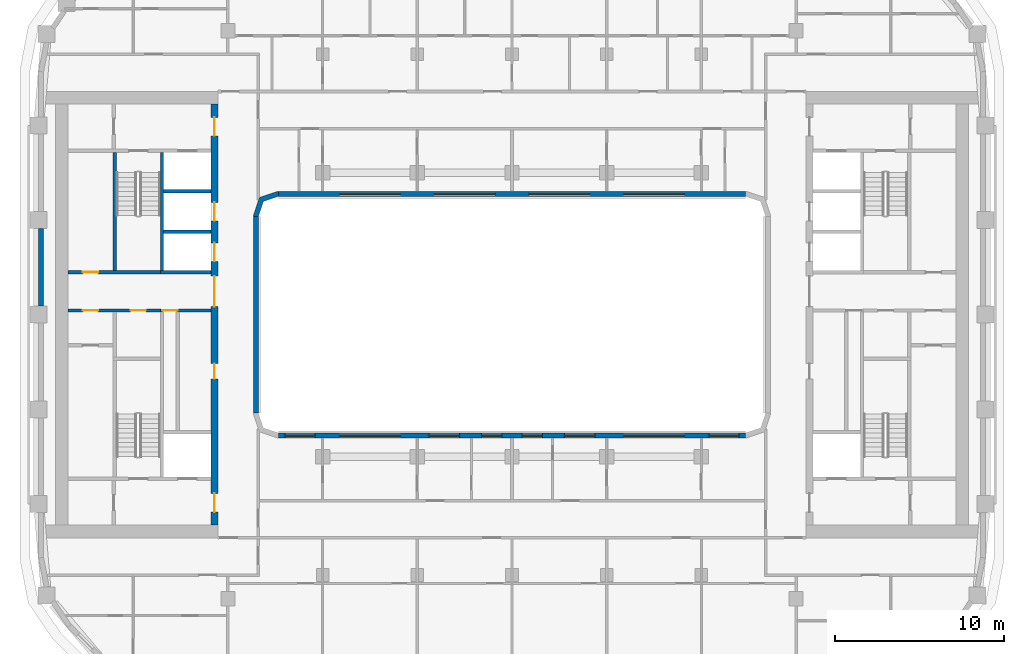
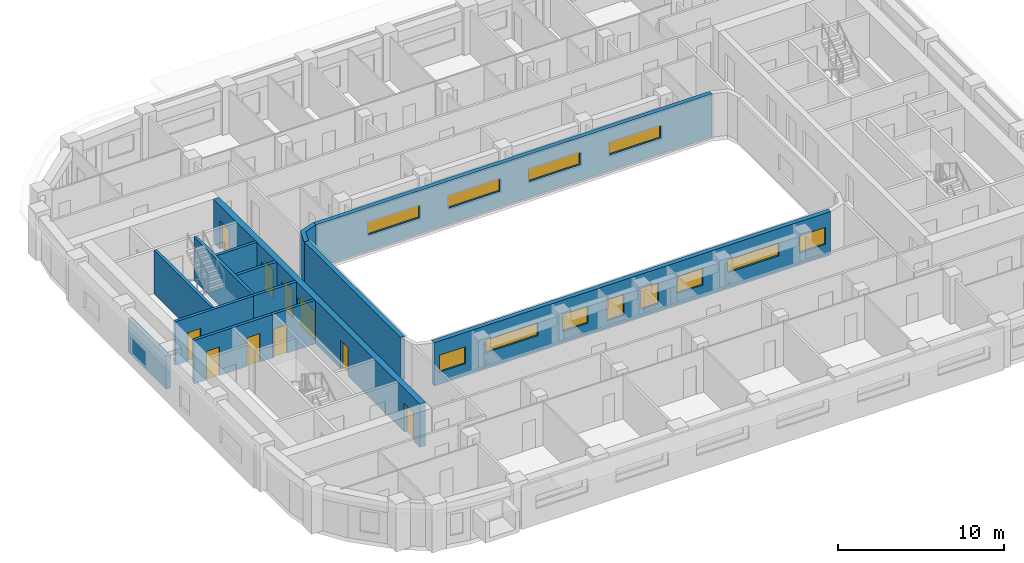
# One storey, part 4 of 22: 14 walls, 12 windows, 10 doors, 22 openings.
"""IFC4 building model written with IfcOpenShell, lengths in metres."""

from ifc_helpers import new_model, si_unit, direction, frame, frame_2d, origin, place, context, subcontext, project, spatial, polyline, rectangle, outline, extrude, material, layer, layer_set, type_object, element, fill, save


model = new_model("IFC4")

# Units and contexts
model_context = context("Model", 3, precision=1e-05, world=origin(), true_north=direction((0.0, 1.0)))
body_context = subcontext(model_context, "Body", "Model", "MODEL_VIEW")
ifc_project = project(units=[si_unit("LENGTHUNIT", "METRE"), si_unit("AREAUNIT", "SQUARE_METRE"), si_unit("VOLUMEUNIT", "CUBIC_METRE"), si_unit("PLANEANGLEUNIT", "RADIAN"), si_unit("MASSUNIT", "GRAM", prefix="KILO")], contexts=[model_context])

# Site, building, storey
site_placement = place(None, origin())
site = spatial("IfcSite", under=ifc_project, at=site_placement, CompositionType="ELEMENT")
building_placement = place(site_placement, origin())
building = spatial("IfcBuilding", under=site, at=building_placement, Name="Kiln Ring Residences", CompositionType="ELEMENT")
storey_placement = place(building_placement, frame((0.0, 0.0, 171.10009765625)))
storey = spatial("IfcBuildingStorey", under=building, at=storey_placement, Name="L44", CompositionType="ELEMENT", Elevation=171.10009765625)

# Wall, openings, doors
ifc_material_1 = material(Name="Gypsum board on steel studs", Category="steel")
ifc_layer_1 = layer(ifc_material_1, 0.199951171875)
ifc_layer_set_1 = layer_set([ifc_layer_1], Name="CORE-PARTITION-200")
wall_type_1 = type_object("IfcWallType", Name="CORE-PARTITION-200", PredefinedType="PARTITIONING", material=ifc_layer_set_1)
wall_1_placement = place(storey_placement, frame((-20.800048828125, 0.25, 0.0), z_axis=(0.0, 0.0, 1.0), x_axis=(-1.0, 0.0, 0.0)))
wall_1 = element("IfcWall", 1, at=wall_1_placement, inside=storey, type_object=wall_type_1, Name="Core partition west L44 2", PredefinedType="PARTITIONING", context=body_context, shape_type="SweptSolid", body=[
    extrude(rectangle(XDim=5.449951171875, YDim=0.199951171875, at=frame_2d((2.72509765625, 0.0))), origin(), (0.0, 0.0, 1.0), 3.199951171875),
])
opening_1_placement = place(wall_1_placement, frame((0.85009765625, 0.0, 0.0)))
opening_1 = element("IfcOpeningElement", 2, at=opening_1_placement, cuts=wall_1, Name="Opening L44-CW14", PredefinedType="OPENING", context=body_context, shape_type="SweptSolid", body=[
    extrude(rectangle(XDim=0.89990234375, YDim=2.10009765625, at=frame_2d((0.449951171875, 1.050048828125))), frame((0.0, 0.10986328125, 0.0), z_axis=(0.0, -1.0, 0.0), x_axis=(1.0, 0.0, 0.0)), (0.0, 0.0, 1.0), 0.219970703125),
])
opening_2_placement = place(wall_1_placement, frame((3.675048828125, 0.0, 0.0)))
opening_2 = element("IfcOpeningElement", 3, at=opening_2_placement, cuts=wall_1, Name="Opening L44-CW16", PredefinedType="OPENING", context=body_context, shape_type="SweptSolid", body=[
    extrude(rectangle(XDim=0.89990234375, YDim=2.10009765625, at=frame_2d((0.449951171875, 1.050048828125))), frame((0.0, 0.10986328125, 0.0), z_axis=(0.0, -1.0, 0.0), x_axis=(1.0, 0.0, 0.0)), (0.0, 0.0, 1.0), 0.219970703125),
])
ifc_material_2 = material(Name="Steel door leaf", Category="steel")
door_type_1 = type_object("IfcDoorType", Name="CORE-DOOR-ROOM", OperationType="SINGLE_SWING_LEFT", PredefinedType="DOOR", material=ifc_material_2)
door_1_placement = place(opening_1_placement, origin())
door_1 = element("IfcDoor", 4, at=door_1_placement, inside=storey, type_object=door_type_1, Name="Linen store L44-CW14", OperationType="SINGLE_SWING_RIGHT", OverallHeight=2.10009765625, OverallWidth=0.89990234375, PredefinedType="DOOR", context=body_context, shape_type="SweptSolid", body=[
    extrude(rectangle(XDim=0.89990234375, YDim=2.10009765625, at=frame_2d((0.449951171875, 1.050048828125))), frame((0.0, 0.02490234375, 0.0), z_axis=(0.0, -1.0, 0.0), x_axis=(1.0, 0.0, 0.0)), (0.0, 0.0, 1.0), 0.050048828125),
])
fill(opening_1, door_1)
door_2_placement = place(opening_2_placement, origin())
door_2 = element("IfcDoor", 5, at=door_2_placement, inside=storey, type_object=door_type_1, Name="Pump and valve room L44-CW16", OperationType="SINGLE_SWING_RIGHT", OverallHeight=2.10009765625, OverallWidth=0.89990234375, PredefinedType="DOOR", context=body_context, shape_type="SweptSolid", body=[
    extrude(rectangle(XDim=0.89990234375, YDim=2.10009765625, at=frame_2d((0.449951171875, 1.050048828125))), frame((0.0, 0.02490234375, 0.0), z_axis=(0.0, -1.0, 0.0), x_axis=(1.0, 0.0, 0.0)), (0.0, 0.0, 1.0), 0.050048828125),
])
fill(opening_2, door_2)

# Wall, opening, door
ifc_material_3 = material(Name="Gypsum shaft wall system")
ifc_layer_2 = layer(ifc_material_3, 0.199951171875)
ifc_layer_set_2 = layer_set([ifc_layer_2], Name="CORE-SHAFT-WALL-200")
wall_type_2 = type_object("IfcWallType", Name="CORE-SHAFT-WALL-200", PredefinedType="PARTITIONING", material=ifc_layer_set_2)
wall_2_placement = place(storey_placement, frame((-17.800048828125, 0.25, 0.0), z_axis=(0.0, 0.0, 1.0), x_axis=(-1.0, 0.0, 0.0)))
wall_2 = element("IfcWall", 6, at=wall_2_placement, inside=storey, type_object=wall_type_2, Name="Core partition west L44 8", PredefinedType="PARTITIONING", context=body_context, shape_type="SweptSolid", body=[
    extrude(rectangle(XDim=3.0, YDim=0.199951171875, at=frame_2d((1.5, 0.0))), origin(), (0.0, 0.0, 1.0), 3.199951171875),
])
opening_3_placement = place(wall_2_placement, frame((1.97998046875, 0.0, 0.0)))
opening_3 = element("IfcOpeningElement", 7, at=opening_3_placement, cuts=wall_2, Name="Opening L44-CW03", PredefinedType="OPENING", context=body_context, shape_type="SweptSolid", body=[
    extrude(rectangle(XDim=0.89990234375, YDim=2.10009765625, at=frame_2d((0.449951171875, 1.050048828125))), frame((0.0, 0.10986328125, 0.0), z_axis=(0.0, -1.0, 0.0), x_axis=(1.0, 0.0, 0.0)), (0.0, 0.0, 1.0), 0.219970703125),
])
door_3_placement = place(opening_3_placement, origin())
door_3 = element("IfcDoor", 8, at=door_3_placement, inside=storey, type_object=door_type_1, Name="Waste room L44-CW03", OperationType="SINGLE_SWING_LEFT", OverallHeight=2.10009765625, OverallWidth=0.89990234375, PredefinedType="DOOR", context=body_context, shape_type="SweptSolid", body=[
    extrude(rectangle(XDim=0.89990234375, YDim=2.10009765625, at=frame_2d((0.449951171875, 1.050048828125))), frame((0.0, 0.02490234375, 0.0), z_axis=(0.0, -1.0, 0.0), x_axis=(1.0, 0.0, 0.0)), (0.0, 0.0, 1.0), 0.050048828125),
])
fill(opening_3, door_3)

# Walls
wall_3_placement = place(storey_placement, frame((-17.800048828125, 2.5, 0.0), z_axis=(0.0, 0.0, 1.0), x_axis=(-1.0, 0.0, 0.0)))
element("IfcWall", 9, at=wall_3_placement, inside=storey, type_object=wall_type_2, Name="Core partition west L44 9", PredefinedType="PARTITIONING", context=body_context, shape_type="SweptSolid", body=[
    extrude(rectangle(XDim=3.0, YDim=0.199951171875, at=frame_2d((1.5, 0.0))), origin(), (0.0, 0.0, 1.0), 3.199951171875),
])
for number, where, z_axis, x_axis, name in (
    (10, (-17.800048828125, 4.89990234375, 0.0), (0.0, 0.0, 1.0), (-1.0, 0.0, 0.0), "Core partition west L44 10"),
    (11, (-17.800048828125, 7.300048828125, 0.0), (0.0, 0.0, 1.0), (-1.0, 0.0, 0.0), "Core partition west L44 11"),
):
    element("IfcWall", number, at=place(storey_placement, frame(where, z_axis=z_axis, x_axis=x_axis)), inside=storey, type_object=wall_type_2, Name=name, PredefinedType="PARTITIONING", context=body_context, shape_type="SweptSolid", body=[
        extrude(rectangle(XDim=2.800048828125, YDim=0.199951171875, at=frame_2d((1.39990234375, 0.0))), origin(), (0.0, 0.0, 1.0), 3.199951171875),
    ])
ifc_material_4 = material(Name="Concrete C40/50", Category="concrete")
ifc_layer_3 = layer(ifc_material_4, 0.199951171875)
ifc_layer_set_3 = layer_set([ifc_layer_3], Name="CORE-WALL-RC200")
wall_type_3 = type_object("IfcWallType", Name="CORE-WALL-RC200", PredefinedType="SHEAR", material=ifc_layer_set_3)
wall_4_placement = place(storey_placement, frame((-20.699951171875, 2.60009765625, 0.0), z_axis=(0.0, 0.0, 1.0), x_axis=(0.0, 1.0, 0.0)))
element("IfcWall", 12, at=wall_4_placement, inside=storey, type_object=wall_type_3, Name="Core wall west L44 1", PredefinedType="SHEAR", context=body_context, shape_type="SweptSolid", body=[
    extrude(rectangle(XDim=7.0, YDim=0.199951171875, at=frame_2d((3.5, 0.0))), origin(), (0.0, 0.0, 1.0), 3.199951171875),
])

# Wall, opening, door
wall_5_placement = place(storey_placement, frame((-20.800048828125, 2.5, 0.0), z_axis=(0.0, 0.0, 1.0), x_axis=(-1.0, 0.0, 0.0)))
wall_5 = element("IfcWall", 13, at=wall_5_placement, inside=storey, type_object=wall_type_3, Name="Core wall west L44 3", PredefinedType="SHEAR", context=body_context, shape_type="SweptSolid", body=[
    extrude(rectangle(XDim=5.449951171875, YDim=0.199951171875, at=frame_2d((2.72509765625, 0.0))), origin(), (0.0, 0.0, 1.0), 3.199951171875),
])
opening_4_placement = place(wall_5_placement, frame((3.675048828125, 0.0, 0.0)))
opening_4 = element("IfcOpeningElement", 14, at=opening_4_placement, cuts=wall_5, Name="Opening L44-CW17", PredefinedType="OPENING", context=body_context, shape_type="SweptSolid", body=[
    extrude(rectangle(XDim=0.89990234375, YDim=2.10009765625, at=frame_2d((0.449951171875, 1.050048828125))), frame((0.0, 0.10986328125, 0.0), z_axis=(0.0, -1.0, 0.0), x_axis=(1.0, 0.0, 0.0)), (0.0, 0.0, 1.0), 0.219970703125),
])
door_4_placement = place(opening_4_placement, origin())
door_4 = element("IfcDoor", 15, at=door_4_placement, inside=storey, type_object=door_type_1, Name="Electrical plant room L44-CW17", OperationType="SINGLE_SWING_RIGHT", OverallHeight=2.10009765625, OverallWidth=0.89990234375, PredefinedType="DOOR", context=body_context, shape_type="SweptSolid", body=[
    extrude(rectangle(XDim=0.89990234375, YDim=2.10009765625, at=frame_2d((0.449951171875, 1.050048828125))), frame((0.0, 0.02490234375, 0.0), z_axis=(0.0, -1.0, 0.0), x_axis=(1.0, 0.0, 0.0)), (0.0, 0.0, 1.0), 0.050048828125),
])
fill(opening_4, door_4)

# Wall
wall_6_placement = place(storey_placement, frame((-23.5, 2.60009765625, 0.0), z_axis=(0.0, 0.0, 1.0), x_axis=(0.0, 1.0, 0.0)))
element("IfcWall", 16, at=wall_6_placement, inside=storey, type_object=wall_type_3, Name="Core wall west L44 10", PredefinedType="SHEAR", context=body_context, shape_type="SweptSolid", body=[
    extrude(rectangle(XDim=7.0, YDim=0.199951171875, at=frame_2d((3.5, 0.0))), origin(), (0.0, 0.0, 1.0), 3.199951171875),
])

# Wall, openings, doors
ifc_material_5 = material(Name="Concrete C60/75", Category="concrete")
ifc_layer_4 = layer(ifc_material_5, 0.39990234375)
ifc_layer_set_4 = layer_set([ifc_layer_4], Name="CORE-WALL-RC400")
wall_type_4 = type_object("IfcWallType", Name="CORE-WALL-RC400", PredefinedType="SHEAR", material=ifc_layer_set_4)
wall_7_placement = place(storey_placement, frame((-17.60009765625, -12.449951171875, 0.0), z_axis=(0.0, 0.0, 1.0), x_axis=(0.0, 1.0, 0.0)))
wall_7 = element("IfcWall", 17, at=wall_7_placement, inside=storey, type_object=wall_type_4, Name="Core wall west L44 6", PredefinedType="SHEAR", context=body_context, shape_type="SweptSolid", body=[
    extrude(rectangle(XDim=24.89990234375, YDim=0.39990234375, at=frame_2d((12.449951171875, 0.0))), origin(), (0.0, 0.0, 1.0), 3.199951171875),
])
opening_5_placement = place(wall_7_placement, frame((8.64990234375, 0.0, 0.0)))
opening_5 = element("IfcOpeningElement", 18, at=opening_5_placement, cuts=wall_7, Name="Opening L44-CW02", PredefinedType="OPENING", context=body_context, shape_type="SweptSolid", body=[
    extrude(rectangle(XDim=0.89990234375, YDim=2.10009765625, at=frame_2d((0.449951171875, 1.050048828125))), frame((0.0, 0.2099609375, 0.0), z_axis=(0.0, -1.0, 0.0), x_axis=(1.0, 0.0, 0.0)), (0.0, 0.0, 1.0), 0.419921875),
])
opening_6_placement = place(wall_7_placement, frame((15.60009765625, 0.0, 0.0)))
opening_6 = element("IfcOpeningElement", 19, at=opening_6_placement, cuts=wall_7, Name="Opening L44-CW04", PredefinedType="OPENING", context=body_context, shape_type="SweptSolid", body=[
    extrude(rectangle(XDim=1.10009765625, YDim=2.10009765625, at=frame_2d((0.550048828125, 1.050048828125))), frame((0.0, 0.2099609375, 0.0), z_axis=(0.0, -1.0, 0.0), x_axis=(1.0, 0.0, 0.0)), (0.0, 0.0, 1.0), 0.419921875),
])
opening_7_placement = place(wall_7_placement, frame((18.0, 0.0, 0.0)))
opening_7 = element("IfcOpeningElement", 20, at=opening_7_placement, cuts=wall_7, Name="Opening L44-CW05", PredefinedType="OPENING", context=body_context, shape_type="SweptSolid", body=[
    extrude(rectangle(XDim=1.10009765625, YDim=2.10009765625, at=frame_2d((0.550048828125, 1.050048828125))), frame((0.0, 0.2099609375, 0.0), z_axis=(0.0, -1.0, 0.0), x_axis=(1.0, 0.0, 0.0)), (0.0, 0.0, 1.0), 0.419921875),
])
opening_8_placement = place(wall_7_placement, frame((23.02490234375, 0.0, 0.0)))
opening_8 = element("IfcOpeningElement", 21, at=opening_8_placement, cuts=wall_7, Name="Opening L44-CW07", PredefinedType="OPENING", context=body_context, shape_type="SweptSolid", body=[
    extrude(rectangle(XDim=1.10009765625, YDim=2.10009765625, at=frame_2d((0.550048828125, 1.050048828125))), frame((0.0, 0.2099609375, 0.0), z_axis=(0.0, -1.0, 0.0), x_axis=(1.0, 0.0, 0.0)), (0.0, 0.0, 1.0), 0.419921875),
])
opening_9_placement = place(wall_7_placement, frame((0.77490234375, 0.0, 0.0)))
opening_9 = element("IfcOpeningElement", 22, at=opening_9_placement, cuts=wall_7, Name="Opening L44-CW08", PredefinedType="OPENING", context=body_context, shape_type="SweptSolid", body=[
    extrude(rectangle(XDim=1.10009765625, YDim=2.10009765625, at=frame_2d((0.550048828125, 1.050048828125))), frame((0.0, 0.2099609375, 0.0), z_axis=(0.0, -1.0, 0.0), x_axis=(1.0, 0.0, 0.0)), (0.0, 0.0, 1.0), 0.419921875),
])
opening_10_placement = place(wall_7_placement, frame((12.925048828125, 0.0, 0.0)))
opening_10 = element("IfcOpeningElement", 23, at=opening_10_placement, cuts=wall_7, Name="Opening L44-CW13", PredefinedType="OPENING", context=body_context, shape_type="SweptSolid", body=[
    extrude(rectangle(XDim=1.800048828125, YDim=2.10009765625, at=frame_2d((0.89990234375, 1.050048828125))), frame((0.0, 0.2099609375, 0.0), z_axis=(0.0, -1.0, 0.0), x_axis=(1.0, 0.0, 0.0)), (0.0, 0.0, 1.0), 0.419921875),
])
ifc_material_6 = material(Name="Steel door leaf", Category="steel")
door_type_2 = type_object("IfcDoorType", Name="CORE-DOOR-LD", OperationType="DOUBLE_DOOR_SLIDING", PredefinedType="DOOR", material=ifc_material_6)
door_5_placement = place(opening_6_placement, origin())
door_5 = element("IfcDoor", 24, at=door_5_placement, inside=storey, type_object=door_type_2, Name="LD W-M1 L44-CW04", OperationType="DOUBLE_DOOR_SLIDING", OverallHeight=2.10009765625, OverallWidth=1.10009765625, PredefinedType="DOOR", context=body_context, shape_type="SweptSolid", body=[
    extrude(rectangle(XDim=1.10009765625, YDim=2.10009765625, at=frame_2d((0.550048828125, 1.050048828125))), frame((0.0, 0.02490234375, 0.0), z_axis=(0.0, -1.0, 0.0), x_axis=(1.0, 0.0, 0.0)), (0.0, 0.0, 1.0), 0.050048828125),
])
fill(opening_6, door_5)
door_6_placement = place(opening_7_placement, origin())
door_6 = element("IfcDoor", 25, at=door_6_placement, inside=storey, type_object=door_type_2, Name="LD W-M2 L44-CW05", OperationType="DOUBLE_DOOR_SLIDING", OverallHeight=2.10009765625, OverallWidth=1.10009765625, PredefinedType="DOOR", context=body_context, shape_type="SweptSolid", body=[
    extrude(rectangle(XDim=1.10009765625, YDim=2.10009765625, at=frame_2d((0.550048828125, 1.050048828125))), frame((0.0, 0.02490234375, 0.0), z_axis=(0.0, -1.0, 0.0), x_axis=(1.0, 0.0, 0.0)), (0.0, 0.0, 1.0), 0.050048828125),
])
fill(opening_7, door_6)
ifc_material_7 = material(Name="Steel door leaf", Category="steel")
door_type_3 = type_object("IfcDoorType", Name="CORE-DOOR-LOBBY", OperationType="SINGLE_SWING_LEFT", PredefinedType="DOOR", material=ifc_material_7)
door_7_placement = place(opening_8_placement, origin())
door_7 = element("IfcDoor", 26, at=door_7_placement, inside=storey, type_object=door_type_3, Name="FFL L44-CW07", OperationType="SINGLE_SWING_RIGHT", OverallHeight=2.10009765625, OverallWidth=1.10009765625, PredefinedType="DOOR", context=body_context, shape_type="SweptSolid", body=[
    extrude(rectangle(XDim=1.10009765625, YDim=2.10009765625, at=frame_2d((0.550048828125, 1.050048828125))), frame((0.0, 0.02490234375, 0.0), z_axis=(0.0, -1.0, 0.0), x_axis=(1.0, 0.0, 0.0)), (0.0, 0.0, 1.0), 0.050048828125),
])
fill(opening_8, door_7)
door_8_placement = place(opening_9_placement, origin())
door_8 = element("IfcDoor", 27, at=door_8_placement, inside=storey, type_object=door_type_3, Name="SVL L44-CW08", OperationType="SINGLE_SWING_LEFT", OverallHeight=2.10009765625, OverallWidth=1.10009765625, PredefinedType="DOOR", context=body_context, shape_type="SweptSolid", body=[
    extrude(rectangle(XDim=1.10009765625, YDim=2.10009765625, at=frame_2d((0.550048828125, 1.050048828125))), frame((0.0, 0.02490234375, 0.0), z_axis=(0.0, -1.0, 0.0), x_axis=(1.0, 0.0, 0.0)), (0.0, 0.0, 1.0), 0.050048828125),
])
fill(opening_9, door_8)
ifc_material_8 = material(Name="Steel door leaf", Category="steel")
door_type_4 = type_object("IfcDoorType", Name="CORE-DOOR-PASS", OperationType="DOUBLE_DOOR_SINGLE_SWING", PredefinedType="DOOR", material=ifc_material_8)
door_9_placement = place(opening_10_placement, origin())
door_9 = element("IfcDoor", 28, at=door_9_placement, inside=storey, type_object=door_type_4, Name="Core passage L44-CW13", OperationType="DOUBLE_DOOR_SINGLE_SWING", OverallHeight=2.10009765625, OverallWidth=1.800048828125, PredefinedType="DOOR", context=body_context, shape_type="SweptSolid", body=[
    extrude(rectangle(XDim=1.800048828125, YDim=2.10009765625, at=frame_2d((0.89990234375, 1.050048828125))), frame((0.0, 0.02490234375, 0.0), z_axis=(0.0, -1.0, 0.0), x_axis=(1.0, 0.0, 0.0)), (0.0, 0.0, 1.0), 0.050048828125),
])
fill(opening_10, door_9)
door_10_placement = place(opening_5_placement, origin())
door_10 = element("IfcDoor", 29, at=door_10_placement, inside=storey, type_object=door_type_1, Name="Janitor's store L44-CW02", OperationType="SINGLE_SWING_RIGHT", OverallHeight=2.10009765625, OverallWidth=0.89990234375, PredefinedType="DOOR", context=body_context, shape_type="SweptSolid", body=[
    extrude(rectangle(XDim=0.89990234375, YDim=2.10009765625, at=frame_2d((0.449951171875, 1.050048828125))), frame((0.0, 0.02490234375, 0.0), z_axis=(0.0, -1.0, 0.0), x_axis=(1.0, 0.0, 0.0)), (0.0, 0.0, 1.0), 0.050048828125),
])
fill(opening_5, door_10)

# Walls
ifc_material_9 = material(Name="Brick masonry, dark clay brick", Category="masonry")
ifc_layer_5 = layer(ifc_material_9, 0.300048828125)
ifc_layer_set_5 = layer_set([ifc_layer_5], Name="EW-300 BRICK WALL")
wall_type_5 = type_object("IfcWallType", Name="EW-300 BRICK WALL", PredefinedType="SOLIDWALL", material=ifc_layer_set_5)
wall_8_placement = place(storey_placement, frame((-27.85009765625, 5.10009765625, 0.0), z_axis=(0.0, 0.0, 1.0), x_axis=(0.0, -1.0, 0.0)))
element("IfcWall", 30, at=wall_8_placement, inside=storey, type_object=wall_type_5, Name="Facade wall L44 43", PredefinedType="SOLIDWALL", context=body_context, shape_type="SweptSolid", body=[
    extrude(rectangle(XDim=4.60009765625, YDim=0.300048828125, at=frame_2d((2.300048828125, 0.0))), origin(), (0.0, 0.0, 1.0), 2.449951171875),
])
wall_9_placement = place(storey_placement, frame((-15.14990234375, -5.800048828125, 0.0), z_axis=(0.0, 0.0, 1.0), x_axis=(0.0, 1.0, 0.0)))
element("IfcWall", 31, at=wall_9_placement, inside=storey, type_object=wall_type_5, Name="Facade wall L44 49", PredefinedType="SOLIDWALL", context=body_context, shape_type="SweptSolid", body=[
    extrude(rectangle(XDim=11.60009765625, YDim=0.300048828125, at=frame_2d((5.800048828125, 0.0))), origin(), (0.0, 0.0, 1.0), 3.199951171875),
])

# Wall, openings, windows
wall_10_placement = place(storey_placement, frame((-13.800048828125, 7.14990234375, 0.0), z_axis=(0.0, 0.0, 1.0), x_axis=(1.0, 0.0, 0.0)))
wall_10 = element("IfcWall", 32, at=wall_10_placement, inside=storey, type_object=wall_type_5, Name="Facade wall L44 50", PredefinedType="SOLIDWALL", context=body_context, shape_type="SweptSolid", body=[
    extrude(rectangle(XDim=27.60009765625, YDim=0.300048828125, at=frame_2d((13.800048828125, 0.0))), origin(), (0.0, 0.0, 1.0), 3.199951171875),
])
opening_11_placement = place(wall_10_placement, frame((3.60009765625, 0.0, 1.199951171875)))
opening_11 = element("IfcOpeningElement", 33, at=opening_11_placement, cuts=wall_10, Name="Opening W4", PredefinedType="OPENING", context=body_context, shape_type="SweptSolid", body=[
    extrude(rectangle(XDim=3.60009765625, YDim=0.949951171875, at=frame_2d((1.800048828125, 0.47509765625))), frame((0.0, 0.159912109375, 0.0), z_axis=(0.0, -1.0, 0.0), x_axis=(1.0, 0.0, 0.0)), (0.0, 0.0, 1.0), 0.320068359375),
])
opening_12_placement = place(wall_10_placement, frame((9.199951171875, 0.0, 1.199951171875)))
opening_12 = element("IfcOpeningElement", 34, at=opening_12_placement, cuts=wall_10, Name="Opening W4", PredefinedType="OPENING", context=body_context, shape_type="SweptSolid", body=[
    extrude(rectangle(XDim=3.60009765625, YDim=0.949951171875, at=frame_2d((1.800048828125, 0.47509765625))), frame((0.0, 0.159912109375, 0.0), z_axis=(0.0, -1.0, 0.0), x_axis=(1.0, 0.0, 0.0)), (0.0, 0.0, 1.0), 0.320068359375),
])
opening_13_placement = place(wall_10_placement, frame((14.800048828125, 0.0, 1.199951171875)))
opening_13 = element("IfcOpeningElement", 35, at=opening_13_placement, cuts=wall_10, Name="Opening W4", PredefinedType="OPENING", context=body_context, shape_type="SweptSolid", body=[
    extrude(rectangle(XDim=3.60009765625, YDim=0.949951171875, at=frame_2d((1.800048828125, 0.47509765625))), frame((0.0, 0.159912109375, 0.0), z_axis=(0.0, -1.0, 0.0), x_axis=(1.0, 0.0, 0.0)), (0.0, 0.0, 1.0), 0.320068359375),
])
opening_14_placement = place(wall_10_placement, frame((20.39990234375, 0.0, 1.199951171875)))
opening_14 = element("IfcOpeningElement", 36, at=opening_14_placement, cuts=wall_10, Name="Opening W4", PredefinedType="OPENING", context=body_context, shape_type="SweptSolid", body=[
    extrude(rectangle(XDim=3.60009765625, YDim=0.949951171875, at=frame_2d((1.800048828125, 0.47509765625))), frame((0.0, 0.159912109375, 0.0), z_axis=(0.0, -1.0, 0.0), x_axis=(1.0, 0.0, 0.0)), (0.0, 0.0, 1.0), 0.320068359375),
])
ifc_material_10 = material(Name="Aluminium frame with double glazing", Category="aluminium")
window_type_1 = type_object("IfcWindowType", Name="WINDOW 3600 x 950", PartitioningType="SINGLE_PANEL", PredefinedType="WINDOW", material=ifc_material_10)
window_1_placement = place(opening_11_placement, origin())
window_1 = element("IfcWindow", 37, at=window_1_placement, inside=storey, type_object=window_type_1, Name="Window L44 30", OverallHeight=0.949951171875, OverallWidth=3.60009765625, PartitioningType="SINGLE_PANEL", PredefinedType="WINDOW", context=body_context, shape_type="SweptSolid", body=[
    extrude(rectangle(XDim=3.60009765625, YDim=0.949951171875, at=frame_2d((1.800048828125, 0.47509765625))), frame((0.0, 0.030029296875, 0.0), z_axis=(0.0, -1.0, 0.0), x_axis=(1.0, 0.0, 0.0)), (0.0, 0.0, 1.0), 0.06005859375),
])
fill(opening_11, window_1)
window_2_placement = place(opening_12_placement, origin())
window_2 = element("IfcWindow", 38, at=window_2_placement, inside=storey, type_object=window_type_1, Name="Window L44 31", OverallHeight=0.949951171875, OverallWidth=3.60009765625, PartitioningType="SINGLE_PANEL", PredefinedType="WINDOW", context=body_context, shape_type="SweptSolid", body=[
    extrude(rectangle(XDim=3.60009765625, YDim=0.949951171875, at=frame_2d((1.800048828125, 0.47509765625))), frame((0.0, 0.030029296875, 0.0), z_axis=(0.0, -1.0, 0.0), x_axis=(1.0, 0.0, 0.0)), (0.0, 0.0, 1.0), 0.06005859375),
])
fill(opening_12, window_2)
window_3_placement = place(opening_13_placement, origin())
window_3 = element("IfcWindow", 39, at=window_3_placement, inside=storey, type_object=window_type_1, Name="Window L44 32", OverallHeight=0.949951171875, OverallWidth=3.60009765625, PartitioningType="SINGLE_PANEL", PredefinedType="WINDOW", context=body_context, shape_type="SweptSolid", body=[
    extrude(rectangle(XDim=3.60009765625, YDim=0.949951171875, at=frame_2d((1.800048828125, 0.47509765625))), frame((0.0, 0.030029296875, 0.0), z_axis=(0.0, -1.0, 0.0), x_axis=(1.0, 0.0, 0.0)), (0.0, 0.0, 1.0), 0.06005859375),
])
fill(opening_13, window_3)
window_4_placement = place(opening_14_placement, origin())
window_4 = element("IfcWindow", 40, at=window_4_placement, inside=storey, type_object=window_type_1, Name="Window L44 33", OverallHeight=0.949951171875, OverallWidth=3.60009765625, PartitioningType="SINGLE_PANEL", PredefinedType="WINDOW", context=body_context, shape_type="SweptSolid", body=[
    extrude(rectangle(XDim=3.60009765625, YDim=0.949951171875, at=frame_2d((1.800048828125, 0.47509765625))), frame((0.0, 0.030029296875, 0.0), z_axis=(0.0, -1.0, 0.0), x_axis=(1.0, 0.0, 0.0)), (0.0, 0.0, 1.0), 0.06005859375),
])
fill(opening_14, window_4)

wall_11_placement = place(storey_placement, frame((13.800048828125, -7.14990234375, 0.0), z_axis=(0.0, 0.0, 1.0), x_axis=(-1.0, 0.0, 0.0)))
wall_11 = element("IfcWall", 41, at=wall_11_placement, inside=storey, type_object=wall_type_5, Name="Facade wall L44 52", PredefinedType="SOLIDWALL", context=body_context, shape_type="SweptSolid", body=[
    extrude(rectangle(XDim=27.60009765625, YDim=0.300048828125, at=frame_2d((13.800048828125, 0.0))), origin(), (0.0, 0.0, 1.0), 3.199951171875),
])
opening_15_placement = place(wall_11_placement, frame((0.362548828125, 0.0, 0.89990234375)))
opening_15 = element("IfcOpeningElement", 42, at=opening_15_placement, cuts=wall_11, Name="Opening W2", PredefinedType="OPENING", context=body_context, shape_type="SweptSolid", body=[
    extrude(rectangle(XDim=1.800048828125, YDim=1.25, at=frame_2d((0.89990234375, 0.625))), frame((0.0, 0.159912109375, 0.0), z_axis=(0.0, -1.0, 0.0), x_axis=(1.0, 0.0, 0.0)), (0.0, 0.0, 1.0), 0.320068359375),
])
opening_16_placement = place(wall_11_placement, frame((3.60009765625, 0.0, 1.199951171875)))
opening_16 = element("IfcOpeningElement", 43, at=opening_16_placement, cuts=wall_11, Name="Opening W4", PredefinedType="OPENING", context=body_context, shape_type="SweptSolid", body=[
    extrude(rectangle(XDim=3.60009765625, YDim=0.949951171875, at=frame_2d((1.800048828125, 0.47509765625))), frame((0.0, 0.159912109375, 0.0), z_axis=(0.0, -1.0, 0.0), x_axis=(1.0, 0.0, 0.0)), (0.0, 0.0, 1.0), 0.320068359375),
])
opening_17_placement = place(wall_11_placement, frame((8.89990234375, 0.0, 0.89990234375)))
opening_17 = element("IfcOpeningElement", 44, at=opening_17_placement, cuts=wall_11, Name="Opening W2", PredefinedType="OPENING", context=body_context, shape_type="SweptSolid", body=[
    extrude(rectangle(XDim=1.800048828125, YDim=1.25, at=frame_2d((0.89990234375, 0.625))), frame((0.0, 0.159912109375, 0.0), z_axis=(0.0, -1.0, 0.0), x_axis=(1.0, 0.0, 0.0)), (0.0, 0.0, 1.0), 0.320068359375),
])
opening_18_placement = place(wall_11_placement, frame((12.0, 0.0, 0.60009765625)))
opening_18 = element("IfcOpeningElement", 45, at=opening_18_placement, cuts=wall_11, Name="Opening W1", PredefinedType="OPENING", context=body_context, shape_type="SweptSolid", body=[
    extrude(rectangle(XDim=1.199951171875, YDim=1.550048828125, at=frame_2d((0.60009765625, 0.77490234375))), frame((0.0, 0.159912109375, 0.0), z_axis=(0.0, -1.0, 0.0), x_axis=(1.0, 0.0, 0.0)), (0.0, 0.0, 1.0), 0.320068359375),
])
opening_19_placement = place(wall_11_placement, frame((14.39990234375, 0.0, 0.60009765625)))
opening_19 = element("IfcOpeningElement", 46, at=opening_19_placement, cuts=wall_11, Name="Opening W1", PredefinedType="OPENING", context=body_context, shape_type="SweptSolid", body=[
    extrude(rectangle(XDim=1.199951171875, YDim=1.550048828125, at=frame_2d((0.60009765625, 0.77490234375))), frame((0.0, 0.159912109375, 0.0), z_axis=(0.0, -1.0, 0.0), x_axis=(1.0, 0.0, 0.0)), (0.0, 0.0, 1.0), 0.320068359375),
])
opening_20_placement = place(wall_11_placement, frame((16.89990234375, 0.0, 0.89990234375)))
opening_20 = element("IfcOpeningElement", 47, at=opening_20_placement, cuts=wall_11, Name="Opening W2", PredefinedType="OPENING", context=body_context, shape_type="SweptSolid", body=[
    extrude(rectangle(XDim=1.800048828125, YDim=1.25, at=frame_2d((0.89990234375, 0.625))), frame((0.0, 0.159912109375, 0.0), z_axis=(0.0, -1.0, 0.0), x_axis=(1.0, 0.0, 0.0)), (0.0, 0.0, 1.0), 0.320068359375),
])
opening_21_placement = place(wall_11_placement, frame((20.39990234375, 0.0, 1.199951171875)))
opening_21 = element("IfcOpeningElement", 48, at=opening_21_placement, cuts=wall_11, Name="Opening W4", PredefinedType="OPENING", context=body_context, shape_type="SweptSolid", body=[
    extrude(rectangle(XDim=3.60009765625, YDim=0.949951171875, at=frame_2d((1.800048828125, 0.47509765625))), frame((0.0, 0.159912109375, 0.0), z_axis=(0.0, -1.0, 0.0), x_axis=(1.0, 0.0, 0.0)), (0.0, 0.0, 1.0), 0.320068359375),
])
opening_22_placement = place(wall_11_placement, frame((25.4375, 0.0, 0.89990234375)))
opening_22 = element("IfcOpeningElement", 49, at=opening_22_placement, cuts=wall_11, Name="Opening W2", PredefinedType="OPENING", context=body_context, shape_type="SweptSolid", body=[
    extrude(rectangle(XDim=1.800048828125, YDim=1.25, at=frame_2d((0.89990234375, 0.625))), frame((0.0, 0.159912109375, 0.0), z_axis=(0.0, -1.0, 0.0), x_axis=(1.0, 0.0, 0.0)), (0.0, 0.0, 1.0), 0.320068359375),
])
ifc_material_11 = material(Name="Aluminium frame with double glazing", Category="aluminium")
window_type_2 = type_object("IfcWindowType", Name="WINDOW 1200 x 1550", PartitioningType="SINGLE_PANEL", PredefinedType="WINDOW", material=ifc_material_11)
window_5_placement = place(opening_18_placement, origin())
window_5 = element("IfcWindow", 50, at=window_5_placement, inside=storey, type_object=window_type_2, Name="Window L44 37", OverallHeight=1.550048828125, OverallWidth=1.199951171875, PartitioningType="SINGLE_PANEL", PredefinedType="WINDOW", context=body_context, shape_type="SweptSolid", body=[
    extrude(rectangle(XDim=1.199951171875, YDim=1.550048828125, at=frame_2d((0.60009765625, 0.77490234375))), frame((0.0, 0.030029296875, 0.0), z_axis=(0.0, -1.0, 0.0), x_axis=(1.0, 0.0, 0.0)), (0.0, 0.0, 1.0), 0.06005859375),
])
fill(opening_18, window_5)
window_6_placement = place(opening_19_placement, origin())
window_6 = element("IfcWindow", 51, at=window_6_placement, inside=storey, type_object=window_type_2, Name="Window L44 38", OverallHeight=1.550048828125, OverallWidth=1.199951171875, PartitioningType="SINGLE_PANEL", PredefinedType="WINDOW", context=body_context, shape_type="SweptSolid", body=[
    extrude(rectangle(XDim=1.199951171875, YDim=1.550048828125, at=frame_2d((0.60009765625, 0.77490234375))), frame((0.0, 0.030029296875, 0.0), z_axis=(0.0, -1.0, 0.0), x_axis=(1.0, 0.0, 0.0)), (0.0, 0.0, 1.0), 0.06005859375),
])
fill(opening_19, window_6)
ifc_material_12 = material(Name="Aluminium frame with double glazing", Category="aluminium")
window_type_3 = type_object("IfcWindowType", Name="WINDOW 1800 x 1250", PartitioningType="SINGLE_PANEL", PredefinedType="WINDOW", material=ifc_material_12)
window_7_placement = place(opening_15_placement, origin())
window_7 = element("IfcWindow", 52, at=window_7_placement, inside=storey, type_object=window_type_3, Name="Window L44 34", OverallHeight=1.25, OverallWidth=1.800048828125, PartitioningType="SINGLE_PANEL", PredefinedType="WINDOW", context=body_context, shape_type="SweptSolid", body=[
    extrude(rectangle(XDim=1.800048828125, YDim=1.25, at=frame_2d((0.89990234375, 0.625))), frame((0.0, 0.030029296875, 0.0), z_axis=(0.0, -1.0, 0.0), x_axis=(1.0, 0.0, 0.0)), (0.0, 0.0, 1.0), 0.06005859375),
])
fill(opening_15, window_7)
window_8_placement = place(opening_17_placement, origin())
window_8 = element("IfcWindow", 53, at=window_8_placement, inside=storey, type_object=window_type_3, Name="Window L44 36", OverallHeight=1.25, OverallWidth=1.800048828125, PartitioningType="SINGLE_PANEL", PredefinedType="WINDOW", context=body_context, shape_type="SweptSolid", body=[
    extrude(rectangle(XDim=1.800048828125, YDim=1.25, at=frame_2d((0.89990234375, 0.625))), frame((0.0, 0.030029296875, 0.0), z_axis=(0.0, -1.0, 0.0), x_axis=(1.0, 0.0, 0.0)), (0.0, 0.0, 1.0), 0.06005859375),
])
fill(opening_17, window_8)
window_9_placement = place(opening_20_placement, origin())
window_9 = element("IfcWindow", 54, at=window_9_placement, inside=storey, type_object=window_type_3, Name="Window L44 39", OverallHeight=1.25, OverallWidth=1.800048828125, PartitioningType="SINGLE_PANEL", PredefinedType="WINDOW", context=body_context, shape_type="SweptSolid", body=[
    extrude(rectangle(XDim=1.800048828125, YDim=1.25, at=frame_2d((0.89990234375, 0.625))), frame((0.0, 0.030029296875, 0.0), z_axis=(0.0, -1.0, 0.0), x_axis=(1.0, 0.0, 0.0)), (0.0, 0.0, 1.0), 0.06005859375),
])
fill(opening_20, window_9)
window_10_placement = place(opening_22_placement, origin())
window_10 = element("IfcWindow", 55, at=window_10_placement, inside=storey, type_object=window_type_3, Name="Window L44 41", OverallHeight=1.25, OverallWidth=1.800048828125, PartitioningType="SINGLE_PANEL", PredefinedType="WINDOW", context=body_context, shape_type="SweptSolid", body=[
    extrude(rectangle(XDim=1.800048828125, YDim=1.25, at=frame_2d((0.89990234375, 0.625))), frame((0.0, 0.030029296875, 0.0), z_axis=(0.0, -1.0, 0.0), x_axis=(1.0, 0.0, 0.0)), (0.0, 0.0, 1.0), 0.06005859375),
])
fill(opening_22, window_10)
window_11_placement = place(opening_16_placement, origin())
window_11 = element("IfcWindow", 56, at=window_11_placement, inside=storey, type_object=window_type_1, Name="Window L44 35", OverallHeight=0.949951171875, OverallWidth=3.60009765625, PartitioningType="SINGLE_PANEL", PredefinedType="WINDOW", context=body_context, shape_type="SweptSolid", body=[
    extrude(rectangle(XDim=3.60009765625, YDim=0.949951171875, at=frame_2d((1.800048828125, 0.47509765625))), frame((0.0, 0.030029296875, 0.0), z_axis=(0.0, -1.0, 0.0), x_axis=(1.0, 0.0, 0.0)), (0.0, 0.0, 1.0), 0.06005859375),
])
fill(opening_16, window_11)
window_12_placement = place(opening_21_placement, origin())
window_12 = element("IfcWindow", 57, at=window_12_placement, inside=storey, type_object=window_type_1, Name="Window L44 40", OverallHeight=0.949951171875, OverallWidth=3.60009765625, PartitioningType="SINGLE_PANEL", PredefinedType="WINDOW", context=body_context, shape_type="SweptSolid", body=[
    extrude(rectangle(XDim=3.60009765625, YDim=0.949951171875, at=frame_2d((1.800048828125, 0.47509765625))), frame((0.0, 0.030029296875, 0.0), z_axis=(0.0, -1.0, 0.0), x_axis=(1.0, 0.0, 0.0)), (0.0, 0.0, 1.0), 0.06005859375),
])
fill(opening_21, window_12)

# Wall
wall_12_placement = place(storey_placement, origin())
element("IfcWall", 58, at=wall_12_placement, inside=storey, type_object=wall_type_5, Name="Corner wall L44 1", PredefinedType="SOLIDWALL", context=body_context, shape_type="SweptSolid", body=[
    extrude(outline(polyline([(-13.8486328125, 7.300048828125), (-14.937255859375, 6.937255859375), (-15.300048828125, 5.8486328125), (-15.300048828125, 5.800048828125), (-15.0, 5.800048828125), (-14.699951171875, 6.699951171875), (-13.800048828125, 7.0), (-13.800048828125, 7.300048828125), (-13.8486328125, 7.300048828125)])), origin(), (0.0, 0.0, 1.0), 3.199951171875),
])

save(model, "model.ifc")
